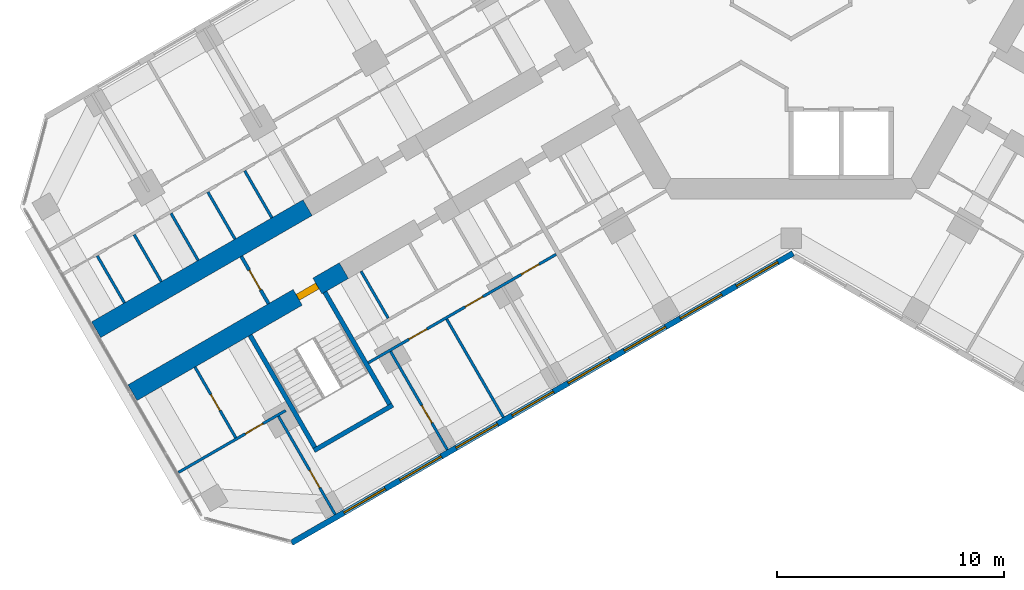
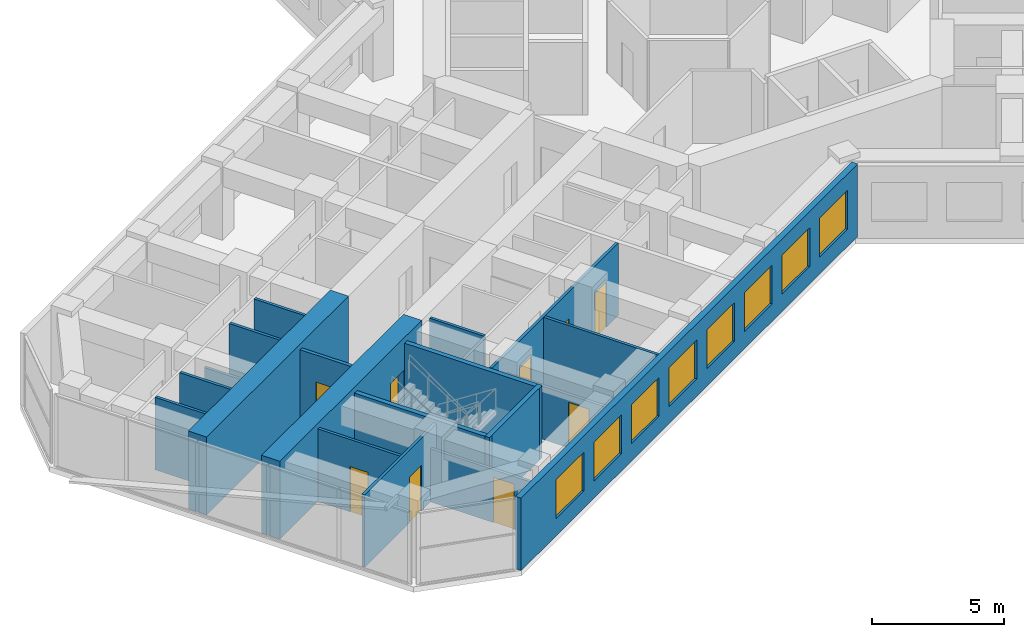
# One storey, part 10 of 19: 19 walls, 9 doors, 8 windows, 17 openings.
"""IFC4 building model written with IfcOpenShell, lengths in metres."""

from ifc_helpers import new_model, si_unit, direction, frame, frame_2d, origin, place, context, subcontext, project, spatial, rectangle, extrude, material, layer, layer_set, type_object, element, fill, save


model = new_model("IFC4")

# Units and contexts
model_context = context("Model", 3, precision=1e-05, world=origin(), true_north=direction((0.0, 1.0)))
body_context = subcontext(model_context, "Body", "Model", "MODEL_VIEW")
ifc_project = project(units=[si_unit("LENGTHUNIT", "METRE"), si_unit("AREAUNIT", "SQUARE_METRE"), si_unit("VOLUMEUNIT", "CUBIC_METRE"), si_unit("PLANEANGLEUNIT", "RADIAN"), si_unit("MASSUNIT", "GRAM", prefix="KILO")], contexts=[model_context])

# Site, building, storey
site_placement = place(None, origin())
site = spatial("IfcSite", under=ifc_project, at=site_placement, CompositionType="ELEMENT")
building_placement = place(site_placement, origin())
building = spatial("IfcBuilding", under=site, at=building_placement, Name="Kosmar Iwan School Tower", CompositionType="ELEMENT")
storey_placement = place(building_placement, frame((0.0, 0.0, 168.800048828125)))
storey = spatial("IfcBuildingStorey", under=building, at=storey_placement, Name="L42", CompositionType="ELEMENT", Elevation=168.800048828125)

# Wall, opening, door
ifc_material_1 = material(Name="Concrete C50/60", Category="concrete")
ifc_layer_1 = layer(ifc_material_1, 0.800048828125)
ifc_layer_set_1 = layer_set([ifc_layer_1], Name="Corridor buttress wall 800")
wall_type_1 = type_object("IfcWallType", Name="Corridor buttress wall 800", PredefinedType="SHEAR", material=ifc_layer_set_1)
wall_1_placement = place(storey_placement, frame((-19.681396484375, -13.210693359375, 0.0), z_axis=(0.0, 0.0, 1.0), x_axis=(-0.866028186671, -0.499995179869, 0.0)))
wall_1 = element("IfcWall", 1, at=wall_1_placement, inside=storey, type_object=wall_type_1, Name="Corridor wall BL bay 3", PredefinedType="SHEAR", context=body_context, shape_type="SweptSolid", body=[
    extrude(rectangle(XDim=10.7451171875, YDim=0.800048828125, at=frame_2d((5.37255859375, 0.0))), origin(), (0.0, 0.0, 1.0), 3.599853515625),
])
opening_1_placement = place(wall_1_placement, frame((1.35009765625, 0.0, 0.0)))
opening_1 = element("IfcOpeningElement", 2, at=opening_1_placement, cuts=wall_1, Name="Opening D6", PredefinedType="OPENING", context=body_context, shape_type="SweptSolid", body=[
    extrude(rectangle(XDim=1.0, YDim=2.10009765625, at=frame_2d((0.5, 1.050048828125))), frame((0.0, 0.412109375, 0.0), z_axis=(0.0, -1.0, 0.0), x_axis=(1.0, 0.0, 0.0)), (0.0, 0.0, 1.0), 0.823974609375),
])
ifc_material_2 = material(Name="Steel fire door", Category="steel")
door_type_1 = type_object("IfcDoorType", Name="Stair door 1000x2100", OperationType="SINGLE_SWING_LEFT", PredefinedType="DOOR", material=ifc_material_2)
door_1_placement = place(opening_1_placement, origin())
door_1 = element("IfcDoor", 3, at=door_1_placement, inside=storey, type_object=door_type_1, Name="Stair WS2 door L42", OperationType="SINGLE_SWING_LEFT", OverallHeight=2.10009765625, OverallWidth=1.0, PredefinedType="DOOR", context=body_context, shape_type="SweptSolid", body=[
    extrude(rectangle(XDim=1.0, YDim=2.10009765625, at=frame_2d((0.5, 1.050048828125))), frame((0.0, 0.14990234375, 0.0), z_axis=(0.0, -1.0, 0.0), x_axis=(1.0, 0.0, 0.0)), (0.0, 0.0, 1.0), 0.300048828125),
])
fill(opening_1, door_1)

# Wall
wall_2_placement = place(storey_placement, frame((-21.281494140625, -10.439453125, 0.0), z_axis=(0.0, 0.0, 1.0), x_axis=(-0.866032345022, -0.499987977232, 0.0)))
element("IfcWall", 4, at=wall_2_placement, inside=storey, type_object=wall_type_1, Name="Corridor wall BR bay 3", PredefinedType="SHEAR", context=body_context, shape_type="SweptSolid", body=[
    extrude(rectangle(XDim=10.744873046875, YDim=0.800048828125, at=frame_2d((5.37255859375, 0.0))), origin(), (0.0, 0.0, 1.0), 3.599853515625),
])

# Wall, opening, door
ifc_material_3 = material(Name="Gypsum board on steel studs, fire-rated", Category="steel")
ifc_layer_2 = layer(ifc_material_3, 0.14990234375)
ifc_layer_set_2 = layer_set([ifc_layer_2], Name="Corridor end wall 150")
wall_type_2 = type_object("IfcWallType", Name="Corridor end wall 150", PredefinedType="PARTITIONING", material=ifc_layer_set_2)
wall_3_placement = place(storey_placement, frame((-24.19921875, -12.585693359375, 0.0), z_axis=(0.0, 0.0, 1.0), x_axis=(0.499957262057, -0.866050077142, 0.0)))
wall_3 = element("IfcWall", 5, at=wall_3_placement, inside=storey, type_object=wall_type_2, Name="Partition L42-B-CE", PredefinedType="PARTITIONING", context=body_context, shape_type="SweptSolid", body=[
    extrude(rectangle(XDim=2.400146484375, YDim=0.14990234375, at=frame_2d((1.2001953125, 0.0))), origin(), (0.0, 0.0, 1.0), 3.349853515625),
])
opening_2_placement = place(wall_3_placement, frame((0.699951171875, 0.0, 0.0)))
opening_2 = element("IfcOpeningElement", 6, at=opening_2_placement, cuts=wall_3, Name="Opening D13", PredefinedType="OPENING", context=body_context, shape_type="SweptSolid", body=[
    extrude(rectangle(XDim=1.0, YDim=2.10009765625, at=frame_2d((0.5, 1.050048828125))), frame((0.0, 0.0869140625, 0.0), z_axis=(0.0, -1.0, 0.0), x_axis=(1.0, 0.0, 0.0)), (0.0, 0.0, 1.0), 0.173828125),
])
ifc_material_4 = material(Name="Timber fire door with vision panel", Category="wood")
door_type_2 = type_object("IfcDoorType", Name="Corridor end door 1000x2100", OperationType="SINGLE_SWING_LEFT", PredefinedType="DOOR", material=ifc_material_4)
door_2_placement = place(opening_2_placement, origin())
door_2 = element("IfcDoor", 7, at=door_2_placement, inside=storey, type_object=door_type_2, Name="Laundry and drying room door L42-B", OperationType="SINGLE_SWING_LEFT", OverallHeight=2.10009765625, OverallWidth=1.0, PredefinedType="DOOR", context=body_context, shape_type="SweptSolid", body=[
    extrude(rectangle(XDim=1.0, YDim=2.10009765625, at=frame_2d((0.5, 1.050048828125))), frame((0.0, 0.02490234375, 0.0), z_axis=(0.0, -1.0, 0.0), x_axis=(1.0, 0.0, 0.0)), (0.0, 0.0, 1.0), 0.050048828125),
])
fill(opening_2, door_2)

# Wall, openings, doors
ifc_material_5 = material(Name="Gypsum board on steel studs", Category="steel")
ifc_layer_3 = layer(ifc_material_5, 0.1201171875)
ifc_layer_set_3 = layer_set([ifc_layer_3], Name="Dwelling partition 120")
wall_type_3 = type_object("IfcWallType", Name="Dwelling partition 120", PredefinedType="PARTITIONING", material=ifc_layer_set_3)
wall_4_placement = place(storey_placement, frame((-10.338623046875, -12.492919921875, 0.0), z_axis=(0.0, 0.0, 1.0), x_axis=(-0.866017851049, -0.500013081493, 0.0)))
wall_4 = element("IfcWall", 8, at=wall_4_placement, inside=storey, type_object=wall_type_3, Name="Partition L42-BL2-W2", PredefinedType="PARTITIONING", context=body_context, shape_type="SweptSolid", body=[
    extrude(rectangle(XDim=9.550048828125, YDim=0.1201171875, at=frame_2d((4.77490234375, 0.0))), origin(), (0.0, 0.0, 1.0), 3.349853515625),
])
opening_3_placement = place(wall_4_placement, frame((0.875, 0.0, 0.0)))
opening_3 = element("IfcOpeningElement", 9, at=opening_3_placement, cuts=wall_4, Name="Opening D2", PredefinedType="OPENING", context=body_context, shape_type="SweptSolid", body=[
    extrude(rectangle(XDim=0.89990234375, YDim=2.10009765625, at=frame_2d((0.449951171875, 1.050048828125))), frame((0.0, 0.072021484375, 0.0), z_axis=(0.0, -1.0, 0.0), x_axis=(1.0, 0.0, 0.0)), (0.0, 0.0, 1.0), 0.14404296875),
])
opening_4_placement = place(wall_4_placement, frame((3.72509765625, 0.0, 0.0)))
opening_4 = element("IfcOpeningElement", 10, at=opening_4_placement, cuts=wall_4, Name="Opening D2", PredefinedType="OPENING", context=body_context, shape_type="SweptSolid", body=[
    extrude(rectangle(XDim=0.89990234375, YDim=2.10009765625, at=frame_2d((0.449951171875, 1.050048828125))), frame((0.0, 0.072021484375, 0.0), z_axis=(0.0, -1.0, 0.0), x_axis=(1.0, 0.0, 0.0)), (0.0, 0.0, 1.0), 0.14404296875),
])
opening_5_placement = place(wall_4_placement, frame((6.574951171875, 0.0, 0.0)))
opening_5 = element("IfcOpeningElement", 11, at=opening_5_placement, cuts=wall_4, Name="Opening D2", PredefinedType="OPENING", context=body_context, shape_type="SweptSolid", body=[
    extrude(rectangle(XDim=0.89990234375, YDim=2.10009765625, at=frame_2d((0.449951171875, 1.050048828125))), frame((0.0, 0.072021484375, 0.0), z_axis=(0.0, -1.0, 0.0), x_axis=(1.0, 0.0, 0.0)), (0.0, 0.0, 1.0), 0.14404296875),
])
ifc_material_6 = material(Name="Timber door in timber frame", Category="wood")
door_type_3 = type_object("IfcDoorType", Name="Internal door 900x2100", OperationType="SINGLE_SWING_LEFT", PredefinedType="DOOR", material=ifc_material_6)
door_3_placement = place(opening_3_placement, origin())
door_3 = element("IfcDoor", 12, at=door_3_placement, inside=storey, type_object=door_type_3, Name="Family room and kitchen door L42-BL2-F1", OperationType="SINGLE_SWING_LEFT", OverallHeight=2.10009765625, OverallWidth=0.89990234375, PredefinedType="DOOR", context=body_context, shape_type="SweptSolid", body=[
    extrude(rectangle(XDim=0.89990234375, YDim=2.10009765625, at=frame_2d((0.449951171875, 1.050048828125))), frame((0.0, 0.02490234375, 0.0), z_axis=(0.0, -1.0, 0.0), x_axis=(1.0, 0.0, 0.0)), (0.0, 0.0, 1.0), 0.050048828125),
])
fill(opening_3, door_3)
door_4_placement = place(opening_4_placement, origin())
door_4 = element("IfcDoor", 13, at=door_4_placement, inside=storey, type_object=door_type_3, Name="Bedroom 2 door L42-BL2-F2", OperationType="SINGLE_SWING_RIGHT", OverallHeight=2.10009765625, OverallWidth=0.89990234375, PredefinedType="DOOR", context=body_context, shape_type="SweptSolid", body=[
    extrude(rectangle(XDim=0.89990234375, YDim=2.10009765625, at=frame_2d((0.449951171875, 1.050048828125))), frame((0.0, 0.02490234375, 0.0), z_axis=(0.0, -1.0, 0.0), x_axis=(1.0, 0.0, 0.0)), (0.0, 0.0, 1.0), 0.050048828125),
])
fill(opening_4, door_4)
door_5_placement = place(opening_5_placement, origin())
door_5 = element("IfcDoor", 14, at=door_5_placement, inside=storey, type_object=door_type_3, Name="Bedroom 1 door L42-BL2-F3", OperationType="SINGLE_SWING_LEFT", OverallHeight=2.10009765625, OverallWidth=0.89990234375, PredefinedType="DOOR", context=body_context, shape_type="SweptSolid", body=[
    extrude(rectangle(XDim=0.89990234375, YDim=2.10009765625, at=frame_2d((0.449951171875, 1.050048828125))), frame((0.0, 0.02490234375, 0.0), z_axis=(0.0, -1.0, 0.0), x_axis=(1.0, 0.0, 0.0)), (0.0, 0.0, 1.0), 0.050048828125),
])
fill(opening_5, door_5)

# Walls
wall_5_placement = place(storey_placement, frame((-15.158447265625, -15.344970703125, 0.0), z_axis=(0.0, 0.0, 1.0), x_axis=(0.500011847778, -0.866018563358, 0.0)))
element("IfcWall", 15, at=wall_5_placement, inside=storey, type_object=wall_type_3, Name="Partition L42-BL2-X2", PredefinedType="PARTITIONING", context=body_context, shape_type="SweptSolid", body=[
    extrude(rectangle(XDim=4.990234375, YDim=0.1201171875, at=frame_2d((2.4951171875, 0.0))), origin(), (0.0, 0.0, 1.0), 3.349853515625),
])
wall_6_placement = place(storey_placement, frame((-18.92724609375, -13.237060546875, 0.0), z_axis=(0.0, 0.0, 1.0), x_axis=(0.500017192868, -0.86601547725, 0.0)))
element("IfcWall", 16, at=wall_6_placement, inside=storey, type_object=wall_type_3, Name="Partition L42-BL2-Y4", PredefinedType="PARTITIONING", context=body_context, shape_type="SweptSolid", body=[
    extrude(rectangle(XDim=2.39013671875, YDim=0.1201171875, at=frame_2d((1.195068359375, 0.0))), origin(), (0.0, 0.0, 1.0), 3.349853515625),
])

# Wall, opening, door
wall_7_placement = place(storey_placement, frame((-17.62646484375, -16.77001953125, 0.0), z_axis=(0.0, 0.0, 1.0), x_axis=(0.499975153383, -0.86603974851, 0.0)))
wall_7 = element("IfcWall", 17, at=wall_7_placement, inside=storey, type_object=wall_type_3, Name="Partition L42-BL2-TB", PredefinedType="PARTITIONING", context=body_context, shape_type="SweptSolid", body=[
    extrude(rectangle(XDim=4.989990234375, YDim=0.1201171875, at=frame_2d((2.4951171875, 0.0))), origin(), (0.0, 0.0, 1.0), 2.449951171875),
])
opening_6_placement = place(wall_7_placement, frame((2.739990234375, 0.0, 0.0)))
opening_6 = element("IfcOpeningElement", 18, at=opening_6_placement, cuts=wall_7, Name="Opening D2", PredefinedType="OPENING", context=body_context, shape_type="SweptSolid", body=[
    extrude(rectangle(XDim=0.89990234375, YDim=2.10009765625, at=frame_2d((0.449951171875, 1.050048828125))), frame((0.0, 0.072021484375, 0.0), z_axis=(0.0, -1.0, 0.0), x_axis=(1.0, 0.0, 0.0)), (0.0, 0.0, 1.0), 0.14404296875),
])
door_6_placement = place(opening_6_placement, origin())
door_6 = element("IfcDoor", 19, at=door_6_placement, inside=storey, type_object=door_type_3, Name="Study door L42-BL2-F3", OperationType="SINGLE_SWING_RIGHT", OverallHeight=2.10009765625, OverallWidth=0.89990234375, PredefinedType="DOOR", context=body_context, shape_type="SweptSolid", body=[
    extrude(rectangle(XDim=0.89990234375, YDim=2.10009765625, at=frame_2d((0.449951171875, 1.050048828125))), frame((0.0, 0.02490234375, 0.0), z_axis=(0.0, -1.0, 0.0), x_axis=(1.0, 0.0, 0.0)), (0.0, 0.0, 1.0), 0.050048828125),
])
fill(opening_6, door_6)

wall_8_placement = place(storey_placement, frame((-22.562744140625, -19.6201171875, 0.0), z_axis=(0.0, 0.0, 1.0), x_axis=(0.499996339024, -0.86602751744, 0.0)))
wall_8 = element("IfcWall", 20, at=wall_8_placement, inside=storey, type_object=wall_type_3, Name="Partition L42-BL2-TX", PredefinedType="PARTITIONING", context=body_context, shape_type="SweptSolid", body=[
    extrude(rectangle(XDim=4.98974609375, YDim=0.1201171875, at=frame_2d((2.494873046875, 0.0))), origin(), (0.0, 0.0, 1.0), 2.449951171875),
])
opening_7_placement = place(wall_8_placement, frame((2.739990234375, 0.0, 0.0)))
opening_7 = element("IfcOpeningElement", 21, at=opening_7_placement, cuts=wall_8, Name="Opening D2", PredefinedType="OPENING", context=body_context, shape_type="SweptSolid", body=[
    extrude(rectangle(XDim=0.89990234375, YDim=2.10009765625, at=frame_2d((0.449951171875, 1.050048828125))), frame((0.0, 0.072021484375, 0.0), z_axis=(0.0, -1.0, 0.0), x_axis=(1.0, 0.0, 0.0)), (0.0, 0.0, 1.0), 0.14404296875),
])
door_7_placement = place(opening_7_placement, origin())
door_7 = element("IfcDoor", 22, at=door_7_placement, inside=storey, type_object=door_type_3, Name="Study door L42-BL2-T1", OperationType="SINGLE_SWING_RIGHT", OverallHeight=2.10009765625, OverallWidth=0.89990234375, PredefinedType="DOOR", context=body_context, shape_type="SweptSolid", body=[
    extrude(rectangle(XDim=0.89990234375, YDim=2.10009765625, at=frame_2d((0.449951171875, 1.050048828125))), frame((0.0, 0.02490234375, 0.0), z_axis=(0.0, -1.0, 0.0), x_axis=(1.0, 0.0, 0.0)), (0.0, 0.0, 1.0), 0.050048828125),
])
fill(opening_7, door_7)

wall_9_placement = place(storey_placement, frame((-22.246337890625, -19.3681640625, 0.0), z_axis=(0.0, 0.0, 1.0), x_axis=(-0.866035508231, -0.499982498177, 0.0)))
wall_9 = element("IfcWall", 23, at=wall_9_placement, inside=storey, type_object=wall_type_3, Name="Partition L42-BL2-TW", PredefinedType="PARTITIONING", context=body_context, shape_type="SweptSolid", body=[
    extrude(rectangle(XDim=5.445068359375, YDim=0.1201171875, at=frame_2d((2.72265625, 0.0))), origin(), (0.0, 0.0, 1.0), 3.349853515625),
])
opening_8_placement = place(wall_9_placement, frame((1.14990234375, 0.0, 0.0)))
opening_8 = element("IfcOpeningElement", 24, at=opening_8_placement, cuts=wall_9, Name="Opening D2", PredefinedType="OPENING", context=body_context, shape_type="SweptSolid", body=[
    extrude(rectangle(XDim=0.89990234375, YDim=2.10009765625, at=frame_2d((0.449951171875, 1.050048828125))), frame((0.0, 0.072021484375, 0.0), z_axis=(0.0, -1.0, 0.0), x_axis=(1.0, 0.0, 0.0)), (0.0, 0.0, 1.0), 0.14404296875),
])
door_8_placement = place(opening_8_placement, origin())
door_8 = element("IfcDoor", 25, at=door_8_placement, inside=storey, type_object=door_type_3, Name="Dressing room door L42-BL2-T3", OperationType="SINGLE_SWING_LEFT", OverallHeight=2.10009765625, OverallWidth=0.89990234375, PredefinedType="DOOR", context=body_context, shape_type="SweptSolid", body=[
    extrude(rectangle(XDim=0.89990234375, YDim=2.10009765625, at=frame_2d((0.449951171875, 1.050048828125))), frame((0.0, 0.02490234375, 0.0), z_axis=(0.0, -1.0, 0.0), x_axis=(1.0, 0.0, 0.0)), (0.0, 0.0, 1.0), 0.050048828125),
])
fill(opening_8, door_8)

wall_10_placement = place(storey_placement, frame((-26.236572265625, -17.45703125, 0.0), z_axis=(0.0, 0.0, 1.0), x_axis=(0.50002266109, -0.866012320003, 0.0)))
wall_10 = element("IfcWall", 26, at=wall_10_placement, inside=storey, type_object=wall_type_3, Name="Partition L42-BL2-TY", PredefinedType="PARTITIONING", context=body_context, shape_type="SweptSolid", body=[
    extrude(rectangle(XDim=3.590087890625, YDim=0.1201171875, at=frame_2d((1.794921875, 0.0))), origin(), (0.0, 0.0, 1.0), 3.349853515625),
])
opening_9_placement = place(wall_10_placement, frame((1.39501953125, 0.0, 0.0)))
opening_9 = element("IfcOpeningElement", 27, at=opening_9_placement, cuts=wall_10, Name="Opening D3", PredefinedType="OPENING", context=body_context, shape_type="SweptSolid", body=[
    extrude(rectangle(XDim=0.800048828125, YDim=2.10009765625, at=frame_2d((0.39990234375, 1.050048828125))), frame((0.0, 0.072021484375, 0.0), z_axis=(0.0, -1.0, 0.0), x_axis=(1.0, 0.0, 0.0)), (0.0, 0.0, 1.0), 0.14404296875),
])
ifc_material_7 = material(Name="Timber door in timber frame", Category="wood")
door_type_4 = type_object("IfcDoorType", Name="Sanitary room door 800x2100", OperationType="SINGLE_SWING_LEFT", PredefinedType="DOOR", material=ifc_material_7)
door_9_placement = place(opening_9_placement, origin())
door_9 = element("IfcDoor", 28, at=door_9_placement, inside=storey, type_object=door_type_4, Name="Shower room door L42-BL2-T4", OperationType="SINGLE_SWING_RIGHT", OverallHeight=2.10009765625, OverallWidth=0.800048828125, PredefinedType="DOOR", context=body_context, shape_type="SweptSolid", body=[
    extrude(rectangle(XDim=0.800048828125, YDim=2.10009765625, at=frame_2d((0.39990234375, 1.050048828125))), frame((0.0, 0.02490234375, 0.0), z_axis=(0.0, -1.0, 0.0), x_axis=(1.0, 0.0, 0.0)), (0.0, 0.0, 1.0), 0.050048828125),
])
fill(opening_9, door_9)

# Walls
wall_11_placement = place(storey_placement, frame((-22.852783203125, -10.884521484375, 0.0), z_axis=(0.0, 0.0, 1.0), x_axis=(-0.499940577336, 0.866059708757, 0.0)))
element("IfcWall", 29, at=wall_11_placement, inside=storey, type_object=wall_type_3, Name="Partition L42-BR2-Y3", PredefinedType="PARTITIONING", context=body_context, shape_type="SweptSolid", body=[
    extrude(rectangle(XDim=2.389892578125, YDim=0.1201171875, at=frame_2d((1.19482421875, 0.0))), origin(), (0.0, 0.0, 1.0), 3.349853515625),
])
wall_12_placement = place(storey_placement, frame((-24.47509765625, -11.8212890625, 0.0), z_axis=(0.0, 0.0, 1.0), x_axis=(-0.500017192868, 0.86601547725, 0.0)))
element("IfcWall", 30, at=wall_12_placement, inside=storey, type_object=wall_type_3, Name="Partition L42-BR2-Y4", PredefinedType="PARTITIONING", context=body_context, shape_type="SweptSolid", body=[
    extrude(rectangle(XDim=2.39013671875, YDim=0.1201171875, at=frame_2d((1.195068359375, 0.0))), origin(), (0.0, 0.0, 1.0), 3.349853515625),
])
wall_13_placement = place(storey_placement, frame((-26.097412109375, -12.758056640625, 0.0), z_axis=(0.0, 0.0, 1.0), x_axis=(-0.500017192868, 0.86601547725, 0.0)))
element("IfcWall", 31, at=wall_13_placement, inside=storey, type_object=wall_type_3, Name="Partition L42-BR2-Y5", PredefinedType="PARTITIONING", context=body_context, shape_type="SweptSolid", body=[
    extrude(rectangle(XDim=2.39013671875, YDim=0.1201171875, at=frame_2d((1.195068359375, 0.0))), origin(), (0.0, 0.0, 1.0), 2.449951171875),
])
for number, where, z_axis, x_axis, name in (
    (32, (-27.7197265625, -13.694580078125, 0.0), (0.0, 0.0, 1.0), (-0.500017192868, 0.86601547725, 0.0), "Partition L42-BR2-Y6"),
    (33, (-29.342041015625, -14.63134765625, 0.0), (0.0, 0.0, 1.0), (-0.500017192868, 0.86601547725, 0.0), "Partition L42-BR2-Y7"),
):
    element("IfcWall", number, at=place(storey_placement, frame(where, z_axis=z_axis, x_axis=x_axis)), inside=storey, type_object=wall_type_3, Name=name, PredefinedType="PARTITIONING", context=body_context, shape_type="SweptSolid", body=[
        extrude(rectangle(XDim=2.39013671875, YDim=0.1201171875, at=frame_2d((1.195068359375, 0.0))), origin(), (0.0, 0.0, 1.0), 3.349853515625),
    ])
ifc_material_8 = material(Name="Concrete C35/45", Category="concrete")
ifc_layer_4 = layer(ifc_material_8, 0.199951171875)
ifc_layer_set_4 = layer_set([ifc_layer_4], Name="Escape stair wall 200")
wall_type_4 = type_object("IfcWallType", Name="Escape stair wall 200", PredefinedType="SHEAR", material=ifc_layer_set_4)
wall_14_placement = place(storey_placement, frame((-20.520751953125, -14.156982421875, 0.0), z_axis=(0.0, 0.0, 1.0), x_axis=(0.499988710057, -0.866031921938, 0.0)))
element("IfcWall", 34, at=wall_14_placement, inside=storey, type_object=wall_type_4, Name="Stair WS2 wall", PredefinedType="SHEAR", context=body_context, shape_type="SweptSolid", body=[
    extrude(rectangle(XDim=5.900146484375, YDim=0.199951171875, at=frame_2d((2.9501953125, 0.0))), origin(), (0.0, 0.0, 1.0), 3.329833984375),
])
wall_15_placement = place(storey_placement, frame((-23.8115234375, -16.05712890625, 0.0), z_axis=(0.0, 0.0, 1.0), x_axis=(0.500006628179, -0.86602157697, 0.0)))
element("IfcWall", 35, at=wall_15_placement, inside=storey, type_object=wall_type_4, Name="Stair WS2 wall", PredefinedType="SHEAR", context=body_context, shape_type="SweptSolid", body=[
    extrude(rectangle(XDim=5.89990234375, YDim=0.199951171875, at=frame_2d((2.949951171875, 0.0))), origin(), (0.0, 0.0, 1.0), 3.329833984375),
])
wall_16_placement = place(storey_placement, frame((-17.5341796875, -19.1298828125, 0.0), z_axis=(0.0, 0.0, 1.0), x_axis=(-0.866026010844, -0.49999894854, 0.0)))
element("IfcWall", 36, at=wall_16_placement, inside=storey, type_object=wall_type_4, Name="Stair WS2 wall", PredefinedType="SHEAR", context=body_context, shape_type="SweptSolid", body=[
    extrude(rectangle(XDim=4.0, YDim=0.199951171875, at=frame_2d((2.0, 0.0))), origin(), (0.0, 0.0, 1.0), 3.329833984375),
])

# Wall, openings, windows
ifc_material_9 = material(Name="Black aluminium rainscreen on insulated framing", Category="aluminium")
ifc_layer_5 = layer(ifc_material_9, 0.25)
ifc_layer_set_5 = layer_set([ifc_layer_5], Name="External wall rainscreen 250")
wall_type_5 = type_object("IfcWallType", Name="External wall rainscreen 250", PredefinedType="SOLIDWALL", material=ifc_layer_set_5)
wall_17_placement = place(storey_placement, frame((0.088134765625, -12.44873046875, 0.0), z_axis=(0.0, 0.0, 1.0), x_axis=(-0.866026390279, -0.499998291337, 0.0)))
wall_17 = element("IfcWall", 37, at=wall_17_placement, inside=storey, type_object=wall_type_5, Name="External wall BL L42", PredefinedType="SOLIDWALL", context=body_context, shape_type="SweptSolid", body=[
    extrude(rectangle(XDim=25.4873046875, YDim=0.25, at=frame_2d((12.74365234375, 0.0))), origin(), (0.0, 0.0, 1.0), 3.349853515625),
])
opening_10_placement = place(wall_17_placement, frame((0.777099609375, 0.0, 0.800048828125)))
opening_10 = element("IfcOpeningElement", 38, at=opening_10_placement, cuts=wall_17, Name="Opening W4", PredefinedType="OPENING", context=body_context, shape_type="SweptSolid", body=[
    extrude(rectangle(XDim=2.10009765625, YDim=1.800048828125, at=frame_2d((1.050048828125, 0.89990234375))), frame((0.0, 0.136962890625, 0.0), z_axis=(0.0, -1.0, 0.0), x_axis=(1.0, 0.0, 0.0)), (0.0, 0.0, 1.0), 0.27392578125),
])
opening_11_placement = place(wall_17_placement, frame((3.626953125, 0.0, 0.800048828125)))
opening_11 = element("IfcOpeningElement", 39, at=opening_11_placement, cuts=wall_17, Name="Opening W4", PredefinedType="OPENING", context=body_context, shape_type="SweptSolid", body=[
    extrude(rectangle(XDim=2.10009765625, YDim=1.800048828125, at=frame_2d((1.050048828125, 0.89990234375))), frame((0.0, 0.136962890625, 0.0), z_axis=(0.0, -1.0, 0.0), x_axis=(1.0, 0.0, 0.0)), (0.0, 0.0, 1.0), 0.27392578125),
])
opening_12_placement = place(wall_17_placement, frame((6.47705078125, 0.0, 0.800048828125)))
opening_12 = element("IfcOpeningElement", 40, at=opening_12_placement, cuts=wall_17, Name="Opening W4", PredefinedType="OPENING", context=body_context, shape_type="SweptSolid", body=[
    extrude(rectangle(XDim=2.10009765625, YDim=1.800048828125, at=frame_2d((1.050048828125, 0.89990234375))), frame((0.0, 0.136962890625, 0.0), z_axis=(0.0, -1.0, 0.0), x_axis=(1.0, 0.0, 0.0)), (0.0, 0.0, 1.0), 0.27392578125),
])
opening_13_placement = place(wall_17_placement, frame((9.326904296875, 0.0, 0.800048828125)))
opening_13 = element("IfcOpeningElement", 41, at=opening_13_placement, cuts=wall_17, Name="Opening W4", PredefinedType="OPENING", context=body_context, shape_type="SweptSolid", body=[
    extrude(rectangle(XDim=2.10009765625, YDim=1.800048828125, at=frame_2d((1.050048828125, 0.89990234375))), frame((0.0, 0.136962890625, 0.0), z_axis=(0.0, -1.0, 0.0), x_axis=(1.0, 0.0, 0.0)), (0.0, 0.0, 1.0), 0.27392578125),
])
opening_14_placement = place(wall_17_placement, frame((12.177001953125, 0.0, 0.800048828125)))
opening_14 = element("IfcOpeningElement", 42, at=opening_14_placement, cuts=wall_17, Name="Opening W4", PredefinedType="OPENING", context=body_context, shape_type="SweptSolid", body=[
    extrude(rectangle(XDim=2.10009765625, YDim=1.800048828125, at=frame_2d((1.050048828125, 0.89990234375))), frame((0.0, 0.136962890625, 0.0), z_axis=(0.0, -1.0, 0.0), x_axis=(1.0, 0.0, 0.0)), (0.0, 0.0, 1.0), 0.27392578125),
])
opening_15_placement = place(wall_17_placement, frame((15.027099609375, 0.0, 0.800048828125)))
opening_15 = element("IfcOpeningElement", 43, at=opening_15_placement, cuts=wall_17, Name="Opening W4", PredefinedType="OPENING", context=body_context, shape_type="SweptSolid", body=[
    extrude(rectangle(XDim=2.10009765625, YDim=1.800048828125, at=frame_2d((1.050048828125, 0.89990234375))), frame((0.0, 0.136962890625, 0.0), z_axis=(0.0, -1.0, 0.0), x_axis=(1.0, 0.0, 0.0)), (0.0, 0.0, 1.0), 0.27392578125),
])
opening_16_placement = place(wall_17_placement, frame((17.876953125, 0.0, 0.800048828125)))
opening_16 = element("IfcOpeningElement", 44, at=opening_16_placement, cuts=wall_17, Name="Opening W4", PredefinedType="OPENING", context=body_context, shape_type="SweptSolid", body=[
    extrude(rectangle(XDim=2.10009765625, YDim=1.800048828125, at=frame_2d((1.050048828125, 0.89990234375))), frame((0.0, 0.136962890625, 0.0), z_axis=(0.0, -1.0, 0.0), x_axis=(1.0, 0.0, 0.0)), (0.0, 0.0, 1.0), 0.27392578125),
])
opening_17_placement = place(wall_17_placement, frame((20.72705078125, 0.0, 0.800048828125)))
opening_17 = element("IfcOpeningElement", 45, at=opening_17_placement, cuts=wall_17, Name="Opening W4", PredefinedType="OPENING", context=body_context, shape_type="SweptSolid", body=[
    extrude(rectangle(XDim=2.10009765625, YDim=1.800048828125, at=frame_2d((1.050048828125, 0.89990234375))), frame((0.0, 0.136962890625, 0.0), z_axis=(0.0, -1.0, 0.0), x_axis=(1.0, 0.0, 0.0)), (0.0, 0.0, 1.0), 0.27392578125),
])
ifc_material_10 = material(Name="Black aluminium frame with dark triple glazing", Category="aluminium")
window_type = type_object("IfcWindowType", Name="Window 2100x1800", PartitioningType="SINGLE_PANEL", PredefinedType="WINDOW", material=ifc_material_10)
window_1_placement = place(opening_10_placement, origin())
window_1 = element("IfcWindow", 46, at=window_1_placement, inside=storey, type_object=window_type, Name="Window BL L42 -1", OverallHeight=1.800048828125, OverallWidth=2.10009765625, PartitioningType="SINGLE_PANEL", PredefinedType="WINDOW", context=body_context, shape_type="SweptSolid", body=[
    extrude(rectangle(XDim=2.10009765625, YDim=1.800048828125, at=frame_2d((1.050048828125, 0.89990234375))), frame((0.0, 0.030029296875, 0.0), z_axis=(0.0, -1.0, 0.0), x_axis=(1.0, 0.0, 0.0)), (0.0, 0.0, 1.0), 0.06005859375),
])
fill(opening_10, window_1)
window_2_placement = place(opening_11_placement, origin())
window_2 = element("IfcWindow", 47, at=window_2_placement, inside=storey, type_object=window_type, Name="Window BL L42 0", OverallHeight=1.800048828125, OverallWidth=2.10009765625, PartitioningType="SINGLE_PANEL", PredefinedType="WINDOW", context=body_context, shape_type="SweptSolid", body=[
    extrude(rectangle(XDim=2.10009765625, YDim=1.800048828125, at=frame_2d((1.050048828125, 0.89990234375))), frame((0.0, 0.030029296875, 0.0), z_axis=(0.0, -1.0, 0.0), x_axis=(1.0, 0.0, 0.0)), (0.0, 0.0, 1.0), 0.06005859375),
])
fill(opening_11, window_2)
window_3_placement = place(opening_12_placement, origin())
window_3 = element("IfcWindow", 48, at=window_3_placement, inside=storey, type_object=window_type, Name="Window BL L42 1", OverallHeight=1.800048828125, OverallWidth=2.10009765625, PartitioningType="SINGLE_PANEL", PredefinedType="WINDOW", context=body_context, shape_type="SweptSolid", body=[
    extrude(rectangle(XDim=2.10009765625, YDim=1.800048828125, at=frame_2d((1.050048828125, 0.89990234375))), frame((0.0, 0.030029296875, 0.0), z_axis=(0.0, -1.0, 0.0), x_axis=(1.0, 0.0, 0.0)), (0.0, 0.0, 1.0), 0.06005859375),
])
fill(opening_12, window_3)
window_4_placement = place(opening_13_placement, origin())
window_4 = element("IfcWindow", 49, at=window_4_placement, inside=storey, type_object=window_type, Name="Window BL L42 2", OverallHeight=1.800048828125, OverallWidth=2.10009765625, PartitioningType="SINGLE_PANEL", PredefinedType="WINDOW", context=body_context, shape_type="SweptSolid", body=[
    extrude(rectangle(XDim=2.10009765625, YDim=1.800048828125, at=frame_2d((1.050048828125, 0.89990234375))), frame((0.0, 0.030029296875, 0.0), z_axis=(0.0, -1.0, 0.0), x_axis=(1.0, 0.0, 0.0)), (0.0, 0.0, 1.0), 0.06005859375),
])
fill(opening_13, window_4)
window_5_placement = place(opening_14_placement, origin())
window_5 = element("IfcWindow", 50, at=window_5_placement, inside=storey, type_object=window_type, Name="Window BL L42 3", OverallHeight=1.800048828125, OverallWidth=2.10009765625, PartitioningType="SINGLE_PANEL", PredefinedType="WINDOW", context=body_context, shape_type="SweptSolid", body=[
    extrude(rectangle(XDim=2.10009765625, YDim=1.800048828125, at=frame_2d((1.050048828125, 0.89990234375))), frame((0.0, 0.030029296875, 0.0), z_axis=(0.0, -1.0, 0.0), x_axis=(1.0, 0.0, 0.0)), (0.0, 0.0, 1.0), 0.06005859375),
])
fill(opening_14, window_5)
window_6_placement = place(opening_15_placement, origin())
window_6 = element("IfcWindow", 51, at=window_6_placement, inside=storey, type_object=window_type, Name="Window BL L42 4", OverallHeight=1.800048828125, OverallWidth=2.10009765625, PartitioningType="SINGLE_PANEL", PredefinedType="WINDOW", context=body_context, shape_type="SweptSolid", body=[
    extrude(rectangle(XDim=2.10009765625, YDim=1.800048828125, at=frame_2d((1.050048828125, 0.89990234375))), frame((0.0, 0.030029296875, 0.0), z_axis=(0.0, -1.0, 0.0), x_axis=(1.0, 0.0, 0.0)), (0.0, 0.0, 1.0), 0.06005859375),
])
fill(opening_15, window_6)
window_7_placement = place(opening_16_placement, origin())
window_7 = element("IfcWindow", 52, at=window_7_placement, inside=storey, type_object=window_type, Name="Window BL L42 5", OverallHeight=1.800048828125, OverallWidth=2.10009765625, PartitioningType="SINGLE_PANEL", PredefinedType="WINDOW", context=body_context, shape_type="SweptSolid", body=[
    extrude(rectangle(XDim=2.10009765625, YDim=1.800048828125, at=frame_2d((1.050048828125, 0.89990234375))), frame((0.0, 0.030029296875, 0.0), z_axis=(0.0, -1.0, 0.0), x_axis=(1.0, 0.0, 0.0)), (0.0, 0.0, 1.0), 0.06005859375),
])
fill(opening_16, window_7)
window_8_placement = place(opening_17_placement, origin())
window_8 = element("IfcWindow", 53, at=window_8_placement, inside=storey, type_object=window_type, Name="Window BL L42 6", OverallHeight=1.800048828125, OverallWidth=2.10009765625, PartitioningType="SINGLE_PANEL", PredefinedType="WINDOW", context=body_context, shape_type="SweptSolid", body=[
    extrude(rectangle(XDim=2.10009765625, YDim=1.800048828125, at=frame_2d((1.050048828125, 0.89990234375))), frame((0.0, 0.030029296875, 0.0), z_axis=(0.0, -1.0, 0.0), x_axis=(1.0, 0.0, 0.0)), (0.0, 0.0, 1.0), 0.06005859375),
])
fill(opening_17, window_8)

save(model, "model.ifc")
